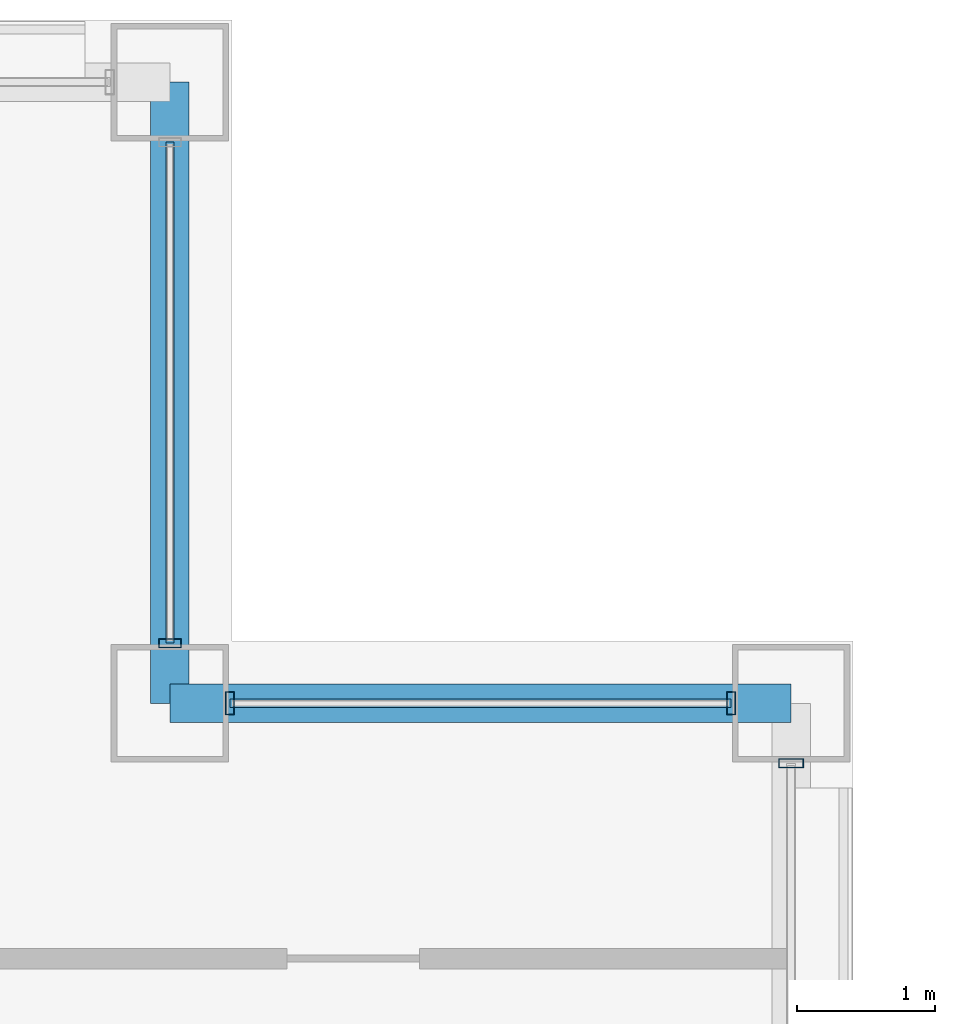
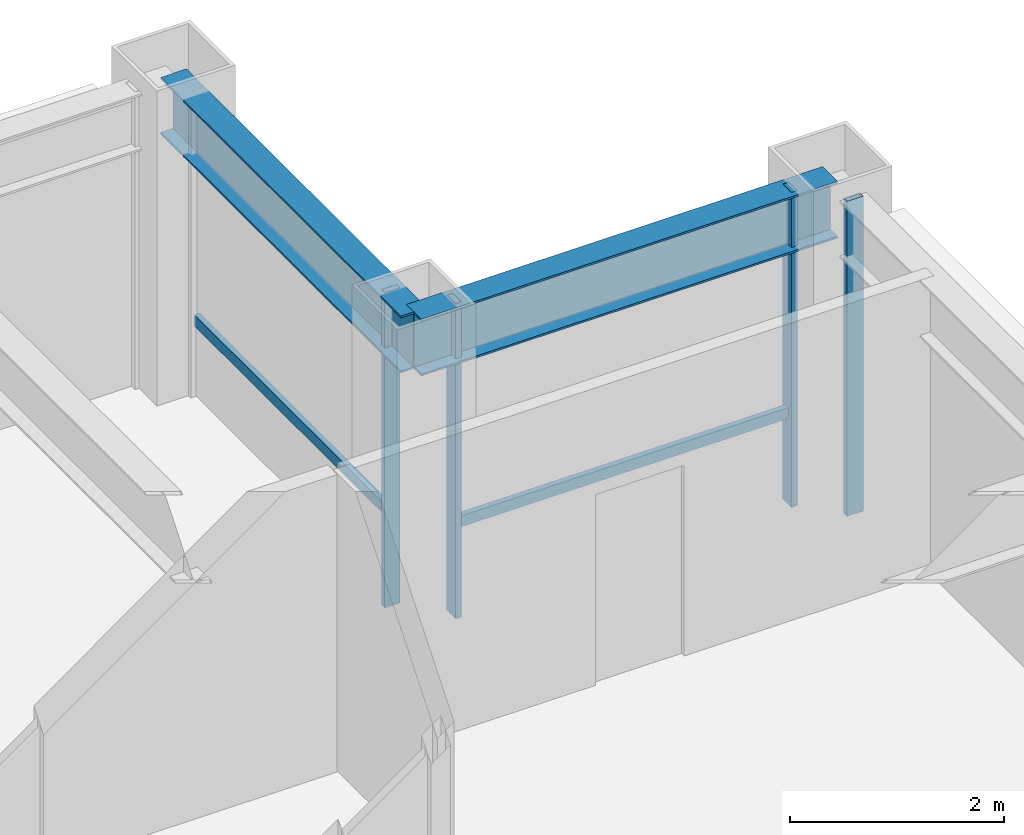
# One storey, part 21 of 30: 6 members, 2 beams, 3 elements without a shape of their own.
"""IFC4 building model written with IfcOpenShell, lengths in metres."""

from ifc_helpers import new_model, si_unit, direction, frame, origin, origin_2d, place, context, subcontext, project, spatial, hollow_rectangle, i_section, extrude, material, layer, layer_set, material_profile, profile_set, type_object, element, aggregate, save


model = new_model("IFC4")

# Units and contexts
model_context = context("Model", 3, precision=1e-05, world=origin(), true_north=direction((0.0, 1.0)))
body_context = subcontext(model_context, "Body", "Model", "MODEL_VIEW")
ifc_project = project(units=[si_unit("LENGTHUNIT", "METRE"), si_unit("AREAUNIT", "SQUARE_METRE"), si_unit("VOLUMEUNIT", "CUBIC_METRE"), si_unit("PLANEANGLEUNIT", "RADIAN"), si_unit("MASSUNIT", "GRAM", prefix="KILO")], contexts=[model_context])

# Site, building, storey
site_placement = place(None, origin())
site = spatial("IfcSite", under=ifc_project, at=site_placement, CompositionType="ELEMENT")
building_placement = place(site_placement, origin())
building = spatial("IfcBuilding", under=site, at=building_placement, Name="Brelmoor Portico Tower", CompositionType="ELEMENT")
storey_placement = place(building_placement, frame((0.0, 0.0, 102.60009765625)))
storey = spatial("IfcBuildingStorey", under=building, at=storey_placement, Name="L26", CompositionType="ELEMENT", Elevation=102.60009765625)

# Beams
ifc_material_1 = material(Name="Steel Q355B", Category="steel")
ifc_material_profile_1 = material_profile(ifc_material_1, i_section(OverallWidth=0.280029296875, OverallDepth=0.64990234375, WebThickness=0.012939453125, FlangeThickness=0.02197265625, at=origin_2d()), Name="HN 650x280x13x22")
ifc_profile_set_1 = profile_set([ifc_material_profile_1], Name="Steel Q355B")
beam_type = type_object("IfcBeamType", Name="BM-SP-650", PredefinedType="SPANDREL", material=ifc_profile_set_1)
for number, where, z_axis, x_axis, name in (
    (1, (18.050048828125, 15.050048828125, 3.074951171875), (1.0, 0.0, 0.0), (0.0, 1.0, 0.0), "L26 Perimeter Spandrel Beam SP-09"),
    (2, (18.050048828125, 15.050048828125, 3.074951171875), (0.0, 1.0, 0.0), (-1.0, 0.0, 0.0), "L26 Perimeter Spandrel Beam SP-21"),
):
    element("IfcBeam", number, at=place(storey_placement, frame(where, z_axis=z_axis, x_axis=x_axis)), inside=storey, type_object=beam_type, Name=name, PredefinedType="SPANDREL", context=body_context, shape_type="SweptSolid", body=[
        extrude(i_section(OverallWidth=0.280029296875, OverallDepth=0.64990234375, WebThickness=0.012939453125, FlangeThickness=0.02197265625, at=origin_2d()), origin(), (0.0, 0.0, 1.0), 4.5),
    ])

# Curtain wall, members
ifc_material_2 = material(Name="Anodised Aluminium Alloy 6063-T6", Category="aluminium")
ifc_layer_1 = layer(ifc_material_2, 0.179931640625)
ifc_layer_set_1 = layer_set([ifc_layer_1], Name="Anodised Aluminium Alloy 6063-T6")
curtain_wall_type_1 = type_object("IfcCurtainWallType", Name="CW-NOTCH-CHAMFER", PredefinedType="NOTDEFINED", material=ifc_layer_set_1)
curtain_wall_1_placement = place(storey_placement, origin())
curtain_wall_1 = element("IfcCurtainWall", 3, at=curtain_wall_1_placement, inside=storey, type_object=curtain_wall_type_1, Name="L26 Curtain Wall CWN-L26-NEH", PredefinedType="NOTDEFINED")
ifc_material_profile_2 = material_profile(ifc_material_2, hollow_rectangle(XDim=0.06494140625, YDim=0.1650390625, WallThickness=0.00390625, at=origin_2d()), Name="ALU MULLION 65x165")
ifc_profile_set_2 = profile_set([ifc_material_profile_2], Name="Anodised Aluminium Alloy 6063-T6")
member_type_1 = type_object("IfcMemberType", Name="MB-CW-MULL-165", PredefinedType="MULLION", material=ifc_profile_set_2)
member_1_placement = place(storey_placement, frame((18.485107421875, 15.050048828125, -0.2001953125), z_axis=(0.0, 0.0, 1.0), x_axis=(1.0, 0.0, 0.0)))
member_1 = element("IfcMember", 4, at=member_1_placement, type_object=member_type_1, Name="CWN-L26-NEH Mullion 00", PredefinedType="MULLION", context=body_context, shape_type="SweptSolid", body=[
    extrude(hollow_rectangle(XDim=0.06494140625, YDim=0.1650390625, WallThickness=0.00390625, at=origin_2d()), origin(), (0.0, 0.0, 1.0), 3.60009765625),
])
member_2_placement = place(storey_placement, frame((22.114990234375, 15.050048828125, -0.2001953125), z_axis=(0.0, 0.0, 1.0), x_axis=(1.0, 0.0, 0.0)))
member_2 = element("IfcMember", 5, at=member_2_placement, type_object=member_type_1, Name="CWN-L26-NEH Mullion 01", PredefinedType="MULLION", context=body_context, shape_type="SweptSolid", body=[
    extrude(hollow_rectangle(XDim=0.06494140625, YDim=0.1650390625, WallThickness=0.00390625, at=origin_2d()), origin(), (0.0, 0.0, 1.0), 3.60009765625),
])

# Curtain wall, member
curtain_wall_2_placement = place(storey_placement, origin())
curtain_wall_2 = element("IfcCurtainWall", 6, at=curtain_wall_2_placement, inside=storey, type_object=curtain_wall_type_1, Name="L26 Curtain Wall CWN-L26-NEV", PredefinedType="NOTDEFINED")
member_3_placement = place(storey_placement, frame((18.050048828125, 15.485107421875, -0.2001953125), z_axis=(0.0, 0.0, 1.0), x_axis=(0.0, 1.0, 0.0)))
member_3 = element("IfcMember", 7, at=member_3_placement, type_object=member_type_1, Name="CWN-L26-NEV Mullion 00", PredefinedType="MULLION", context=body_context, shape_type="SweptSolid", body=[
    extrude(hollow_rectangle(XDim=0.06494140625, YDim=0.1650390625, WallThickness=0.00390625, at=origin_2d()), origin(), (0.0, 0.0, 1.0), 3.60009765625),
])

ifc_layer_2 = layer(ifc_material_2, 0.179931640625)
ifc_layer_set_2 = layer_set([ifc_layer_2], Name="Anodised Aluminium Alloy 6063-T6")
curtain_wall_type_2 = type_object("IfcCurtainWallType", Name="CW-TOWER-Z2-XB", PredefinedType="NOTDEFINED", material=ifc_layer_set_2)
curtain_wall_3_placement = place(storey_placement, origin())
curtain_wall_3 = element("IfcCurtainWall", 8, at=curtain_wall_3_placement, inside=storey, type_object=curtain_wall_type_2, Name="L26 Curtain Wall CW-L26-4R-2", PredefinedType="NOTDEFINED")
ifc_material_profile_3 = material_profile(ifc_material_2, hollow_rectangle(XDim=0.06494140625, YDim=0.179931640625, WallThickness=0.00390625, at=origin_2d()), Name="ALU MULLION 65x180")
ifc_profile_set_3 = profile_set([ifc_material_profile_3], Name="Anodised Aluminium Alloy 6063-T6")
member_type_2 = type_object("IfcMemberType", Name="MB-CW-MULL-180", PredefinedType="MULLION", material=ifc_profile_set_3)
member_4_placement = place(storey_placement, frame((22.550048828125, 14.614990234375, -0.2001953125), z_axis=(0.0, 0.0, 1.0), x_axis=(0.0, 1.0, 0.0)))
member_4 = element("IfcMember", 9, at=member_4_placement, type_object=member_type_2, Name="CW-L26-4R-2 Mullion 01", PredefinedType="MULLION", context=body_context, shape_type="SweptSolid", body=[
    extrude(hollow_rectangle(XDim=0.06494140625, YDim=0.179931640625, WallThickness=0.00390625, at=origin_2d()), origin(), (0.0, 0.0, 1.0), 3.60009765625),
])
aggregate(curtain_wall_3, [member_4])

# Member
ifc_material_profile_4 = material_profile(ifc_material_2, hollow_rectangle(XDim=0.06005859375, YDim=0.125, WallThickness=0.00341796875, at=origin_2d()), Name="ALU TRANSOM 60x125")
ifc_profile_set_4 = profile_set([ifc_material_profile_4], Name="Anodised Aluminium Alloy 6063-T6")
member_type_3 = type_object("IfcMemberType", Name="MB-CW-TRAN-125", PredefinedType="USERDEFINED", material=ifc_profile_set_4)
member_5_placement = place(storey_placement, frame((18.485107421875, 15.050048828125, 0.849853515625), z_axis=(1.0, 0.0, 0.0), x_axis=(0.0, 1.0, 0.0)))
member_5 = element("IfcMember", 10, at=member_5_placement, type_object=member_type_3, Name="CWN-L26-NEH Transom 1-00", ObjectType="TRANSOM", PredefinedType="USERDEFINED", context=body_context, shape_type="SweptSolid", body=[
    extrude(hollow_rectangle(XDim=0.06005859375, YDim=0.125, WallThickness=0.00341796875, at=origin_2d()), origin(), (0.0, 0.0, 1.0), 3.6298828125),
])

aggregate(curtain_wall_1, [member_1, member_2, member_5])

member_6_placement = place(storey_placement, frame((18.050048828125, 15.485107421875, 0.849853515625), z_axis=(0.0, 1.0, 0.0), x_axis=(-1.0, 0.0, 0.0)))
member_6 = element("IfcMember", 11, at=member_6_placement, type_object=member_type_3, Name="CWN-L26-NEV Transom 1-00", ObjectType="TRANSOM", PredefinedType="USERDEFINED", context=body_context, shape_type="SweptSolid", body=[
    extrude(hollow_rectangle(XDim=0.06005859375, YDim=0.125, WallThickness=0.00341796875, at=origin_2d()), origin(), (0.0, 0.0, 1.0), 3.6298828125),
])

aggregate(curtain_wall_2, [member_3, member_6])

save(model, "model.ifc")
